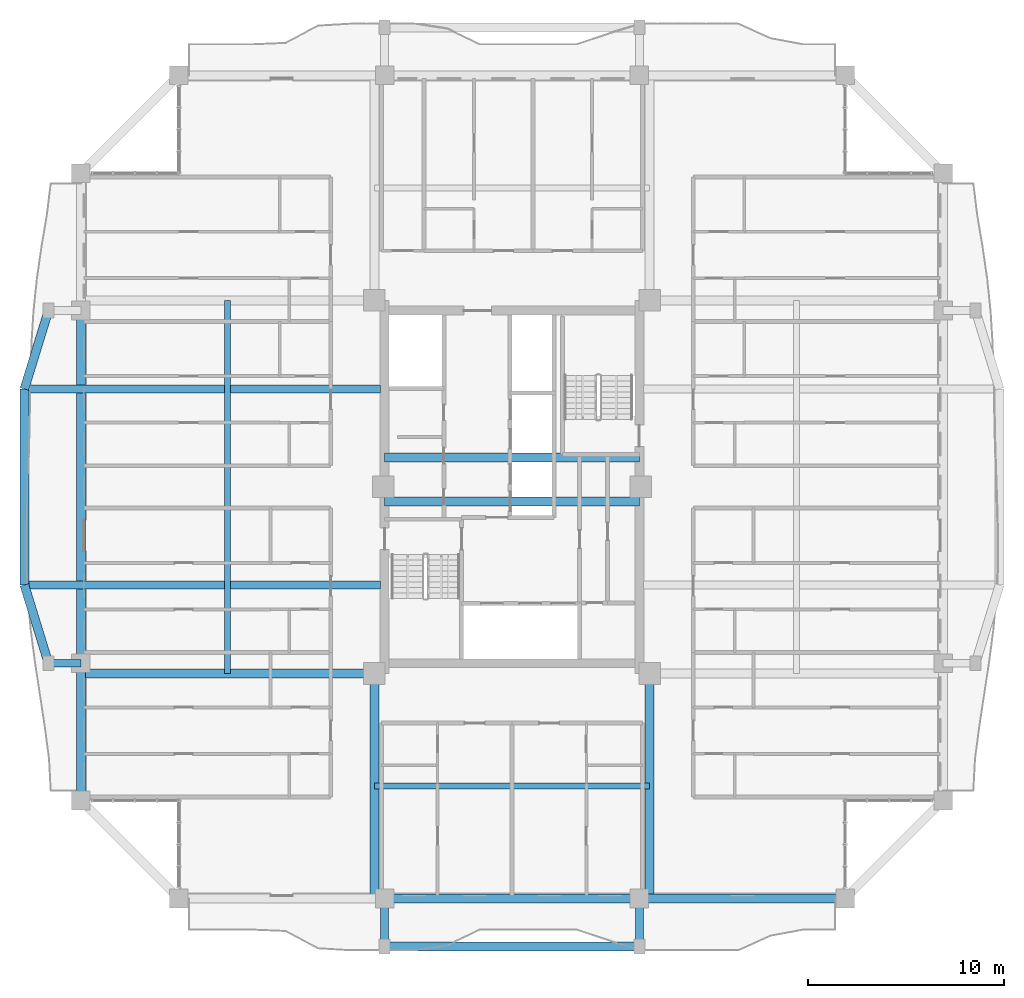
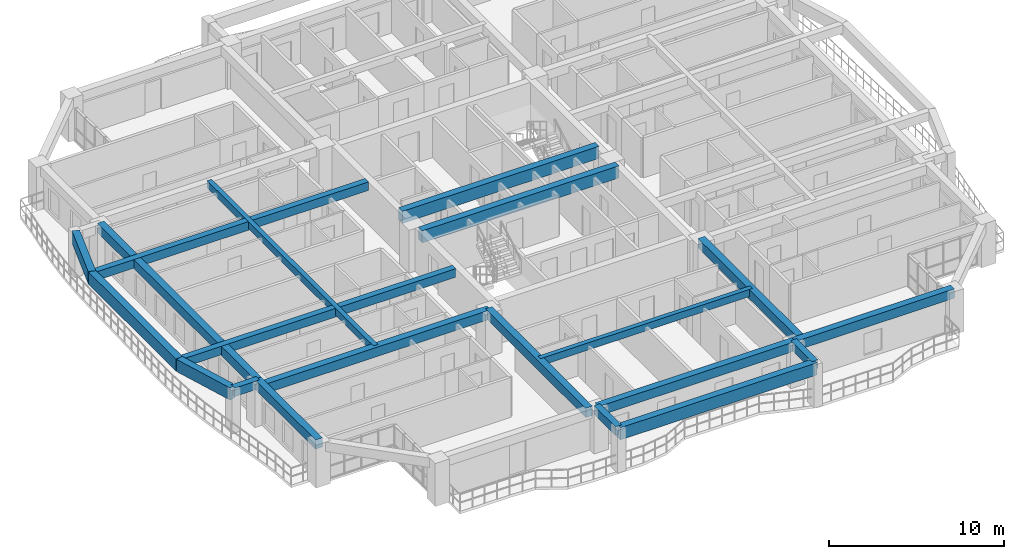
# One storey, part 3 of 23: 20 beams.
"""IFC4 building model written with IfcOpenShell, lengths in metres."""

from ifc_helpers import new_model, si_unit, direction, frame, origin, origin_2d, place, context, subcontext, project, spatial, rectangle, extrude, source, transform, mapped, material, material_profile, profile_set, type_object, element, save


model = new_model("IFC4")

# Units and contexts
model_context = context("Model", 3, precision=1e-05, world=origin(), true_north=direction((0.0, 1.0)))
body_context = subcontext(model_context, "Body", "Model", "MODEL_VIEW")
ifc_project = project(units=[si_unit("LENGTHUNIT", "METRE"), si_unit("AREAUNIT", "SQUARE_METRE"), si_unit("VOLUMEUNIT", "CUBIC_METRE"), si_unit("PLANEANGLEUNIT", "RADIAN"), si_unit("MASSUNIT", "GRAM", prefix="KILO")], contexts=[model_context])

# Site, building, storey
site_placement = place(None, origin())
site = spatial("IfcSite", under=ifc_project, at=site_placement, CompositionType="ELEMENT")
building_placement = place(site_placement, origin())
building = spatial("IfcBuilding", under=site, at=building_placement, Name="Saelheon Loggia Tower", CompositionType="ELEMENT")
storey_placement = place(building_placement, frame((0.0, 0.0, 156.10009765625)))
storey = spatial("IfcBuildingStorey", under=building, at=storey_placement, Name="L49", CompositionType="ELEMENT", Elevation=156.10009765625)

# Beams
ifc_material_1 = material(Name="Concrete C50/60", Category="concrete")
ifc_material_profile_1 = material_profile(ifc_material_1, rectangle(XDim=0.449951171875, YDim=0.85009765625, at=origin_2d()), Name="RC-450x850")
ifc_profile_set_1 = profile_set([ifc_material_profile_1], Name="Concrete C50/60")
beam_type_1 = type_object("IfcBeamType", Name="Beam_CoreLintel_RC450x850", PredefinedType="LINTEL", material=ifc_profile_set_1)
shared_shape_1 = source(origin(), body_context, "Body", "SweptSolid", [
    extrude(rectangle(XDim=0.449951171875, YDim=0.85009765625, at=origin_2d()), origin(), (0.0, 0.0, 1.0), 13.0),
])
for number, where, z_axis, x_axis, name in (
    (1, (31.5, 26.25, 2.574951171875), (1.0, 0.0, 0.0), (0.0, 1.0, 0.0), "L49 Core Coupling Lintel 1"),
    (2, (31.5, 28.5, 2.574951171875), (1.0, 0.0, 0.0), (0.0, 1.0, 0.0), "L49 Core Coupling Lintel 2"),
):
    element("IfcBeam", number, at=place(storey_placement, frame(where, z_axis=z_axis, x_axis=x_axis)), inside=storey, type_object=beam_type_1, Name=name, PredefinedType="LINTEL", context=body_context, shape_type="MappedRepresentation", body=[
        mapped(shared_shape_1, transform((0.0, 0.0, 0.0), scale=1.0)),
    ])
ifc_material_2 = material(Name="Precast Concrete C45/55", Category="concrete")
ifc_material_profile_2 = material_profile(ifc_material_2, rectangle(XDim=0.449951171875, YDim=0.85009765625, at=origin_2d()), Name="RC-450x850")
ifc_profile_set_2 = profile_set([ifc_material_profile_2], Name="Precast Concrete C45/55")
beam_type_2 = type_object("IfcBeamType", Name="Beam_LoggiaSpandrel_RC450x850", PredefinedType="SPANDREL", material=ifc_profile_set_2)
beam_1_placement = place(storey_placement, frame((31.5, 3.550048828125, 2.574951171875), z_axis=(1.0, 0.0, 0.0), x_axis=(0.0, 1.0, 0.0)))
element("IfcBeam", 3, at=beam_1_placement, inside=storey, type_object=beam_type_2, Name="L49 Loggia Spandrel Beam S", PredefinedType="SPANDREL", context=body_context, shape_type="MappedRepresentation", body=[
    mapped(shared_shape_1, transform((0.0, 0.0, 0.0), scale=1.0)),
])
ifc_material_profile_3 = material_profile(ifc_material_2, rectangle(XDim=0.39990234375, YDim=0.60009765625, at=origin_2d()), Name="RC-400x600")
ifc_profile_set_3 = profile_set([ifc_material_profile_3], Name="Precast Concrete C45/55")
beam_type_3 = type_object("IfcBeamType", Name="Beam_LoggiaTie_RC400x600", PredefinedType="BEAM", material=ifc_profile_set_3)
shared_shape_2 = source(origin(), body_context, "Body", "SweptSolid", [
    extrude(rectangle(XDim=0.39990234375, YDim=0.60009765625, at=origin_2d()), origin(), (0.0, 0.0, 1.0), 2.449951171875),
])
for number, where, z_axis, x_axis, name in (
    (4, (31.5, 6.0, 2.699951171875), (0.0, -1.0, 0.0), (1.0, 0.0, 0.0), "L49 Loggia Frame Tie Beam LP-S1"),
    (5, (44.5, 6.0, 2.699951171875), (0.0, -1.0, 0.0), (1.0, 0.0, 0.0), "L49 Loggia Frame Tie Beam LP-S2"),
):
    element("IfcBeam", number, at=place(storey_placement, frame(where, z_axis=z_axis, x_axis=x_axis)), inside=storey, type_object=beam_type_3, Name=name, PredefinedType="BEAM", context=body_context, shape_type="MappedRepresentation", body=[
        mapped(shared_shape_2, transform((0.0, 0.0, 0.0), scale=1.0)),
    ])
ifc_material_3 = material(Name="Concrete C40/50", Category="concrete")
ifc_material_profile_4 = material_profile(ifc_material_3, rectangle(XDim=0.449951171875, YDim=0.64990234375, at=origin_2d()), Name="RC-450x650")
ifc_profile_set_4 = profile_set([ifc_material_profile_4], Name="Concrete C40/50")
beam_type_4 = type_object("IfcBeamType", Name="Beam_PerimTower_RC450x650", PredefinedType="BEAM", material=ifc_profile_set_4)
shared_shape_3 = source(origin(), body_context, "Body", "SweptSolid", [
    extrude(rectangle(XDim=0.449951171875, YDim=0.64990234375, at=origin_2d()), origin(), (0.0, 0.0, 1.0), 13.0),
])
beam_2_placement = place(storey_placement, frame((31.5, 6.0, 2.6748046875), z_axis=(1.0, 0.0, 0.0), x_axis=(0.0, 1.0, 0.0)))
element("IfcBeam", 6, at=beam_2_placement, inside=storey, type_object=beam_type_4, Name="L49 Perimeter Frame Girder 02", PredefinedType="BEAM", context=body_context, shape_type="MappedRepresentation", body=[
    mapped(shared_shape_3, transform((0.0, 0.0, 0.0), scale=1.0)),
])
shared_shape_4 = source(origin(), body_context, "Body", "SweptSolid", [
    extrude(rectangle(XDim=0.449951171875, YDim=0.64990234375, at=origin_2d()), origin(), (0.0, 0.0, 1.0), 18.0),
])
beam_3_placement = place(storey_placement, frame((16.0, 36.0, 2.6748046875), z_axis=(0.0, -1.0, 0.0), x_axis=(1.0, 0.0, 0.0)))
element("IfcBeam", 7, at=beam_3_placement, inside=storey, type_object=beam_type_4, Name="L49 Perimeter Frame Girder 14", PredefinedType="BEAM", context=body_context, shape_type="MappedRepresentation", body=[
    mapped(shared_shape_4, transform((0.0, 0.0, 0.0), scale=1.0)),
])
ifc_material_profile_5 = material_profile(ifc_material_3, rectangle(XDim=0.300048828125, YDim=0.5, at=origin_2d()), Name="RC-300x500")
ifc_profile_set_5 = profile_set([ifc_material_profile_5], Name="Concrete C40/50")
beam_type_5 = type_object("IfcBeamType", Name="Beam_Joist_RC300x500", PredefinedType="JOIST", material=ifc_profile_set_5)
shared_shape_5 = source(origin(), body_context, "Body", "SweptSolid", [
    extrude(rectangle(XDim=0.300048828125, YDim=0.5, at=origin_2d()), origin(), (0.0, 0.0, 1.0), 14.0400390625),
])
beam_4_placement = place(storey_placement, frame((30.97998046875, 11.739990234375, 2.75), z_axis=(1.0, 0.0, 0.0), x_axis=(0.0, 1.0, 0.0)))
element("IfcBeam", 8, at=beam_4_placement, inside=storey, type_object=beam_type_5, Name="L49 South Floor Joist", PredefinedType="JOIST", context=body_context, shape_type="MappedRepresentation", body=[
    mapped(shared_shape_5, transform((0.0, 0.0, 0.0), scale=1.0)),
])
shared_shape_6 = source(origin(), body_context, "Body", "SweptSolid", [
    extrude(rectangle(XDim=0.300048828125, YDim=0.5, at=origin_2d()), origin(), (0.0, 0.0, 1.0), 19.0400390625),
])
beam_5_placement = place(storey_placement, frame((23.489990234375, 17.47998046875, 2.75), z_axis=(0.0, 1.0, 0.0), x_axis=(-1.0, 0.0, 0.0)))
element("IfcBeam", 9, at=beam_5_placement, inside=storey, type_object=beam_type_5, Name="L49 West Floor Joist", PredefinedType="JOIST", context=body_context, shape_type="MappedRepresentation", body=[
    mapped(shared_shape_6, transform((0.0, 0.0, 0.0), scale=1.0)),
])
shared_shape_7 = source(origin(), body_context, "Body", "SweptSolid", [
    extrude(rectangle(XDim=0.449951171875, YDim=0.64990234375, at=origin_2d()), origin(), (0.0, 0.0, 1.0), 10.5),
])
beam_6_placement = place(storey_placement, frame((44.5, 6.0, 2.6748046875), z_axis=(1.0, 0.0, 0.0), x_axis=(0.0, 1.0, 0.0)))
element("IfcBeam", 10, at=beam_6_placement, inside=storey, type_object=beam_type_4, Name="L49 Perimeter Frame Girder 03", PredefinedType="BEAM", context=body_context, shape_type="MappedRepresentation", body=[
    mapped(shared_shape_7, transform((0.0, 0.0, 0.0), scale=1.0)),
])
shared_shape_8 = source(origin(), body_context, "Body", "SweptSolid", [
    extrude(rectangle(XDim=0.449951171875, YDim=0.64990234375, at=origin_2d()), origin(), (0.0, 0.0, 1.0), 7.0),
])
beam_7_placement = place(storey_placement, frame((16.0, 18.0, 2.6748046875), z_axis=(0.0, -1.0, 0.0), x_axis=(1.0, 0.0, 0.0)))
element("IfcBeam", 11, at=beam_7_placement, inside=storey, type_object=beam_type_4, Name="L49 Perimeter Frame Girder 15", PredefinedType="BEAM", context=body_context, shape_type="MappedRepresentation", body=[
    mapped(shared_shape_8, transform((0.0, 0.0, 0.0), scale=1.0)),
])
ifc_material_profile_6 = material_profile(ifc_material_3, rectangle(XDim=0.449951171875, YDim=0.64990234375, at=origin_2d()), Name="RC-450x650")
ifc_profile_set_6 = profile_set([ifc_material_profile_6], Name="Concrete C40/50")
beam_type_6 = type_object("IfcBeamType", Name="Beam_TowerGirder_RC450x650", PredefinedType="BEAM", material=ifc_profile_set_6)
shared_shape_9 = source(origin(), body_context, "Body", "SweptSolid", [
    extrude(rectangle(XDim=0.449951171875, YDim=0.64990234375, at=origin_2d()), origin(), (0.0, 0.0, 1.0), 11.47998046875),
])
for number, where, z_axis, x_axis, name in (
    (12, (30.97998046875, 17.47998046875, 2.6748046875), (0.0, -1.0, 0.0), (1.0, 0.0, 0.0), "L49 Radial Floor Girder RAD-SW-S"),
    (13, (45.02001953125, 17.47998046875, 2.6748046875), (0.0, -1.0, 0.0), (1.0, 0.0, 0.0), "L49 Radial Floor Girder RAD-SE-S"),
):
    element("IfcBeam", number, at=place(storey_placement, frame(where, z_axis=z_axis, x_axis=x_axis)), inside=storey, type_object=beam_type_6, Name=name, PredefinedType="BEAM", context=body_context, shape_type="MappedRepresentation", body=[
        mapped(shared_shape_9, transform((0.0, 0.0, 0.0), scale=1.0)),
    ])
shared_shape_10 = source(origin(), body_context, "Body", "SweptSolid", [
    extrude(rectangle(XDim=0.449951171875, YDim=0.64990234375, at=origin_2d()), origin(), (0.0, 0.0, 1.0), 14.97998046875),
])
beam_8_placement = place(storey_placement, frame((30.97998046875, 17.47998046875, 2.6748046875), z_axis=(-1.0, 0.0, 0.0), x_axis=(0.0, -1.0, 0.0)))
element("IfcBeam", 14, at=beam_8_placement, inside=storey, type_object=beam_type_6, Name="L49 Radial Floor Girder RAD-SW-W", PredefinedType="BEAM", context=body_context, shape_type="MappedRepresentation", body=[
    mapped(shared_shape_10, transform((0.0, 0.0, 0.0), scale=1.0)),
])
shared_shape_11 = source(origin(), body_context, "Body", "SweptSolid", [
    extrude(rectangle(XDim=0.39990234375, YDim=0.60009765625, at=origin_2d()), origin(), (0.0, 0.0, 1.0), 1.64990234375),
])
beam_9_placement = place(storey_placement, frame((16.0, 18.0, 2.699951171875), z_axis=(-1.0, 0.0, 0.0), x_axis=(0.0, -1.0, 0.0)))
element("IfcBeam", 15, at=beam_9_placement, inside=storey, type_object=beam_type_3, Name="L49 Loggia Frame Tie Beam LP-W1", PredefinedType="BEAM", context=body_context, shape_type="MappedRepresentation", body=[
    mapped(shared_shape_11, transform((0.0, 0.0, 0.0), scale=1.0)),
])
shared_shape_12 = source(origin(), body_context, "Body", "SweptSolid", [
    extrude(rectangle(XDim=0.39990234375, YDim=0.60009765625, at=origin_2d()), origin(), (0.0, 0.0, 1.0), 18.159912109375),
])
for number, where, z_axis, x_axis, name in (
    (16, (31.280029296875, 22.0, 2.699951171875), (-1.0, 0.0, 0.0), (0.0, -1.0, 0.0), "L49 Curved Facade Outrigger Beam W 1"),
    (17, (31.280029296875, 32.0, 2.699951171875), (-1.0, 0.0, 0.0), (0.0, -1.0, 0.0), "L49 Curved Facade Outrigger Beam W 2"),
):
    element("IfcBeam", number, at=place(storey_placement, frame(where, z_axis=z_axis, x_axis=x_axis)), inside=storey, type_object=beam_type_3, Name=name, PredefinedType="BEAM", context=body_context, shape_type="MappedRepresentation", body=[
        mapped(shared_shape_12, transform((0.0, 0.0, 0.0), scale=1.0)),
    ])
shared_shape_13 = source(origin(), body_context, "Body", "SweptSolid", [
    extrude(rectangle(XDim=0.449951171875, YDim=0.85009765625, at=origin_2d()), origin(), (0.0, 0.0, 1.0), 4.184814453125),
])
for number, where, z_axis, x_axis, name in (
    (18, (14.35009765625, 18.0, 2.574951171875), (-0.293913664135, 0.955831971653, 0.0), (-0.955831971653, -0.293913664135, 0.0), "L49 Curved Loggia Spandrel W 1"),
    (19, (13.1201171875, 32.0, 2.574951171875), (0.293913664135, 0.955831971653, 0.0), (-0.955831971653, 0.293913664135, 0.0), "L49 Curved Loggia Spandrel W 3"),
):
    element("IfcBeam", number, at=place(storey_placement, frame(where, z_axis=z_axis, x_axis=x_axis)), inside=storey, type_object=beam_type_2, Name=name, PredefinedType="SPANDREL", context=body_context, shape_type="MappedRepresentation", body=[
        mapped(shared_shape_13, transform((0.0, 0.0, 0.0), scale=1.0)),
    ])
shared_shape_14 = source(origin(), body_context, "Body", "SweptSolid", [
    extrude(rectangle(XDim=0.449951171875, YDim=0.85009765625, at=origin_2d()), origin(), (0.0, 0.0, 1.0), 10.0),
])
beam_10_placement = place(storey_placement, frame((13.1201171875, 22.0, 2.574951171875), z_axis=(0.0, 1.0, 0.0), x_axis=(-1.0, 0.0, 0.0)))
element("IfcBeam", 20, at=beam_10_placement, inside=storey, type_object=beam_type_2, Name="L49 Curved Loggia Spandrel W 2", PredefinedType="SPANDREL", context=body_context, shape_type="MappedRepresentation", body=[
    mapped(shared_shape_14, transform((0.0, 0.0, 0.0), scale=1.0)),
])

save(model, "model.ifc")
